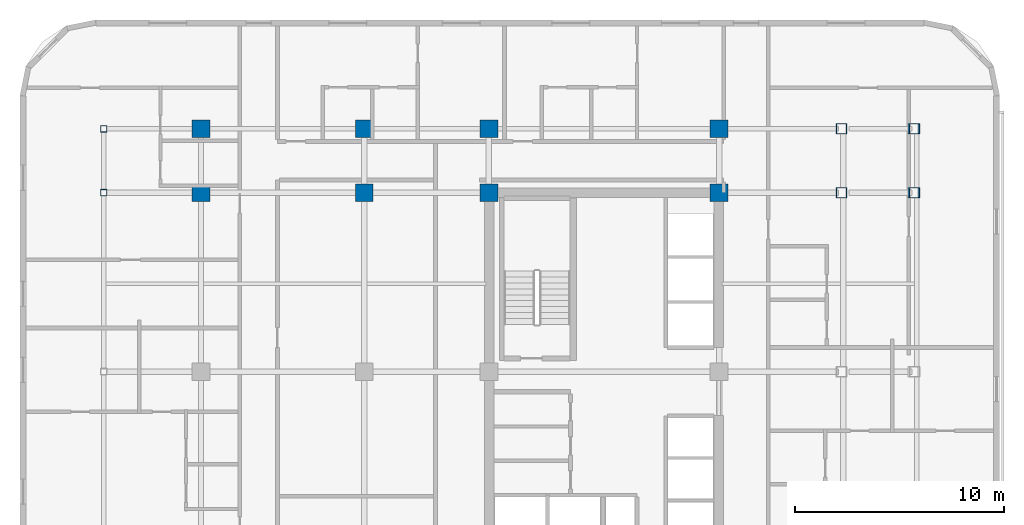
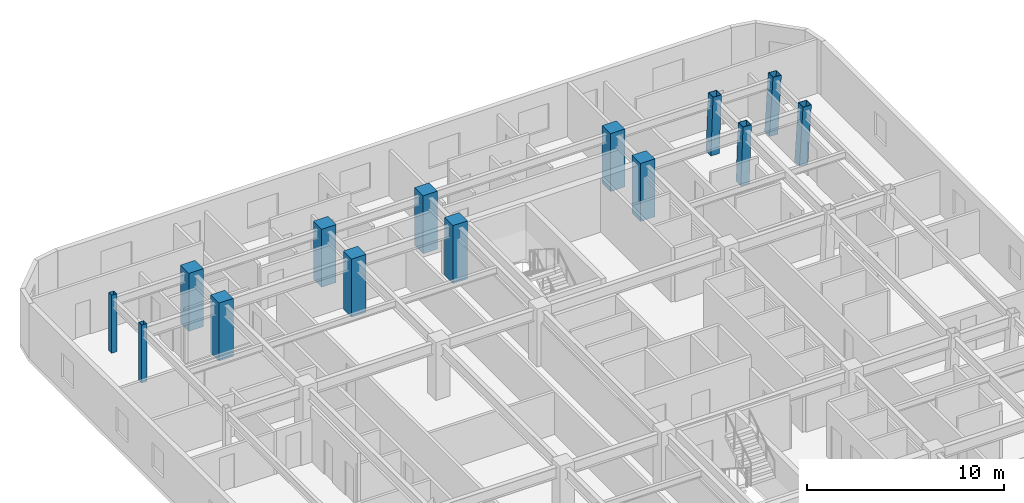
# One storey, part 3 of 15: 14 columns.
"""IFC4 building model written with IfcOpenShell, lengths in metres."""

from ifc_helpers import new_model, si_unit, direction, frame, origin, origin_2d, place, context, subcontext, project, spatial, rectangle, hollow_rectangle, extrude, material, material_profile, profile_set, type_object, element, save


model = new_model("IFC4")

# Units and contexts
model_context = context("Model", 3, precision=1e-05, world=origin(), true_north=direction((0.0, 1.0)))
body_context = subcontext(model_context, "Body", "Model", "MODEL_VIEW")
ifc_project = project(units=[si_unit("LENGTHUNIT", "METRE"), si_unit("AREAUNIT", "SQUARE_METRE"), si_unit("VOLUMEUNIT", "CUBIC_METRE"), si_unit("PLANEANGLEUNIT", "RADIAN"), si_unit("MASSUNIT", "GRAM", prefix="KILO")], contexts=[model_context])

# Site, building, storey
site_placement = place(None, origin())
site = spatial("IfcSite", under=ifc_project, at=site_placement, CompositionType="ELEMENT")
building_placement = place(site_placement, origin())
building = spatial("IfcBuilding", under=site, at=building_placement, Name="Ochreholt Gables", CompositionType="ELEMENT")
storey_placement = place(building_placement, frame((0.0, 0.0, 31.199951171875)))
storey = spatial("IfcBuildingStorey", under=building, at=storey_placement, Name="L07", CompositionType="ELEMENT", Elevation=31.199951171875)

# Columns
ifc_material_1 = material(Name="Steel CSA G40.21 350W", Category="steel")
ifc_material_profile_1 = material_profile(ifc_material_1, hollow_rectangle(XDim=0.304931640625, YDim=0.304931640625, WallThickness=0.0126953125, at=origin_2d()), Name="HSS305X305X13")
ifc_profile_set_1 = profile_set([ifc_material_profile_1], Name="Steel CSA G40.21 350W")
column_type_1 = type_object("IfcColumnType", Name="COL-HSS305-EXT", PredefinedType="COLUMN", material=ifc_profile_set_1)
for number, where, z_axis, x_axis, name in (
    (1, (5.800048828125, 38.75, 0.0), (0.0, 0.0, 1.0), (1.0, 0.0, 0.0), "L07 Column WTY5"),
    (2, (5.800048828125, 41.800048828125, 0.0), (0.0, 0.0, 1.0), (1.0, 0.0, 0.0), "L07 Column WTY6"),
):
    element("IfcColumn", number, at=place(storey_placement, frame(where, z_axis=z_axis, x_axis=x_axis)), inside=storey, type_object=column_type_1, Name=name, PredefinedType="COLUMN", context=body_context, shape_type="SweptSolid", body=[
        extrude(hollow_rectangle(XDim=0.304931640625, YDim=0.304931640625, WallThickness=0.0126953125, at=origin_2d()), origin(), (0.0, 0.0, 1.0), 3.60009765625),
    ])
ifc_material_profile_2 = material_profile(ifc_material_1, hollow_rectangle(XDim=0.5, YDim=0.5, WallThickness=0.02197265625, at=origin_2d()), Name="HSS500X500X22")
ifc_profile_set_2 = profile_set([ifc_material_profile_2], Name="Steel CSA G40.21 350W")
column_type_2 = type_object("IfcColumnType", Name="COL-HSS500-RAK", PredefinedType="COLUMN", material=ifc_profile_set_2)
column_1_placement = place(storey_placement, frame((41.028076171875, 38.75, 0.0), z_axis=(0.034971136209, 0.0, 0.999388322742), x_axis=(0.0, 1.0, 0.0)))
element("IfcColumn", 3, at=column_1_placement, inside=storey, type_object=column_type_2, Name="L07 Column EMY5", PredefinedType="COLUMN", context=body_context, shape_type="SweptSolid", body=[
    extrude(hollow_rectangle(XDim=0.5, YDim=0.5, WallThickness=0.02197265625, at=origin_2d()), origin(), (0.0, 0.0, 1.0), 3.602294921875),
])
ifc_material_profile_3 = material_profile(ifc_material_1, hollow_rectangle(XDim=0.5, YDim=0.5, WallThickness=0.02197265625, at=origin_2d()), Name="HSS500X500X22")
ifc_profile_set_3 = profile_set([ifc_material_profile_3], Name="Steel CSA G40.21 350W")
column_type_3 = type_object("IfcColumnType", Name="COL-HSS500-RAKE", PredefinedType="COLUMN", material=ifc_profile_set_3)
column_2_placement = place(storey_placement, frame((41.028076171875, 41.800048828125, 0.0), z_axis=(0.034971136209, 0.0, 0.999388322742), x_axis=(0.0, 1.0, 0.0)))
element("IfcColumn", 4, at=column_2_placement, inside=storey, type_object=column_type_3, Name="L07 Column EMY6", PredefinedType="COLUMN", context=body_context, shape_type="SweptSolid", body=[
    extrude(hollow_rectangle(XDim=0.5, YDim=0.5, WallThickness=0.02197265625, at=origin_2d()), origin(), (0.0, 0.0, 1.0), 3.602294921875),
])
for number, where, z_axis, x_axis, name in (
    (5, (44.46630859375, 38.75, 0.0), (0.057952080376, 0.0, 0.998319365925), (0.0, 1.0, 0.0), "L07 Column EEY5"),
    (6, (44.46630859375, 41.800048828125, 0.0), (0.057952080376, 0.0, 0.998319365925), (0.0, 1.0, 0.0), "L07 Column EEY6"),
):
    element("IfcColumn", number, at=place(storey_placement, frame(where, z_axis=z_axis, x_axis=x_axis)), inside=storey, type_object=column_type_3, Name=name, PredefinedType="COLUMN", context=body_context, shape_type="SweptSolid", body=[
        extrude(hollow_rectangle(XDim=0.5, YDim=0.5, WallThickness=0.02197265625, at=origin_2d()), origin(), (0.0, 0.0, 1.0), 3.606201171875),
    ])
ifc_material_2 = material(Name="Concrete 60 MPa", Category="concrete")
ifc_material_profile_4 = material_profile(ifc_material_2, rectangle(XDim=0.85009765625, YDim=0.85009765625, at=origin_2d()), Name="RC850X850")
ifc_profile_set_4 = profile_set([ifc_material_profile_4], Name="Concrete 60 MPa")
column_type_4 = type_object("IfcColumnType", Name="COL-RC850-EXT", PredefinedType="COLUMN", material=ifc_profile_set_4)
for number, where, z_axis, x_axis, name in (
    (7, (10.449951171875, 41.800048828125, 0.0), (0.0, 0.0, 1.0), (1.0, 0.0, 0.0), "L07 Column W2Y6"),
    (8, (18.25, 41.800048828125, 0.0), (0.0, 0.0, 1.0), (1.0, 0.0, 0.0), "L07 Column W3Y6"),
    (9, (24.199951171875, 41.800048828125, 0.0), (0.0, 0.0, 1.0), (1.0, 0.0, 0.0), "L07 Column C1Y6"),
    (10, (35.199951171875, 41.800048828125, 0.0), (0.0, 0.0, 1.0), (1.0, 0.0, 0.0), "L07 Column C2Y6"),
):
    element("IfcColumn", number, at=place(storey_placement, frame(where, z_axis=z_axis, x_axis=x_axis)), inside=storey, type_object=column_type_4, Name=name, PredefinedType="COLUMN", context=body_context, shape_type="SweptSolid", body=[
        extrude(rectangle(XDim=0.85009765625, YDim=0.85009765625, at=origin_2d()), origin(), (0.0, 0.0, 1.0), 3.60009765625),
    ])
ifc_material_profile_5 = material_profile(ifc_material_2, rectangle(XDim=0.85009765625, YDim=0.85009765625, at=origin_2d()), Name="RC850X850")
ifc_profile_set_5 = profile_set([ifc_material_profile_5], Name="Concrete 60 MPa")
column_type_5 = type_object("IfcColumnType", Name="COL-RC850-INT", PredefinedType="COLUMN", material=ifc_profile_set_5)
for number, where, z_axis, x_axis, name in (
    (11, (10.449951171875, 38.75, 0.0), (0.0, 0.0, 1.0), (1.0, 0.0, 0.0), "L07 Column W2Y5"),
    (12, (18.25, 38.75, 0.0), (0.0, 0.0, 1.0), (1.0, 0.0, 0.0), "L07 Column W3Y5"),
    (13, (24.199951171875, 38.75, 0.0), (0.0, 0.0, 1.0), (1.0, 0.0, 0.0), "L07 Column C1Y5"),
    (14, (35.199951171875, 38.75, 0.0), (0.0, 0.0, 1.0), (1.0, 0.0, 0.0), "L07 Column C2Y5"),
):
    element("IfcColumn", number, at=place(storey_placement, frame(where, z_axis=z_axis, x_axis=x_axis)), inside=storey, type_object=column_type_5, Name=name, PredefinedType="COLUMN", context=body_context, shape_type="SweptSolid", body=[
        extrude(rectangle(XDim=0.85009765625, YDim=0.85009765625, at=origin_2d()), origin(), (0.0, 0.0, 1.0), 3.60009765625),
    ])

save(model, "model.ifc")
